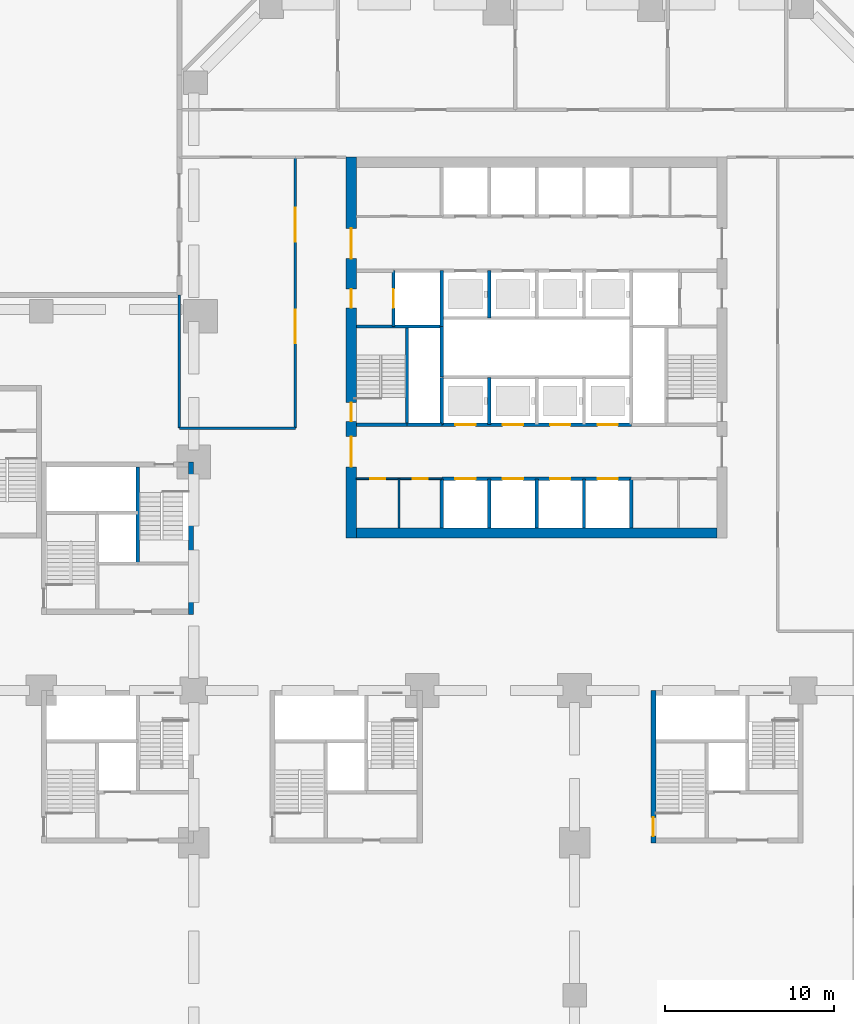
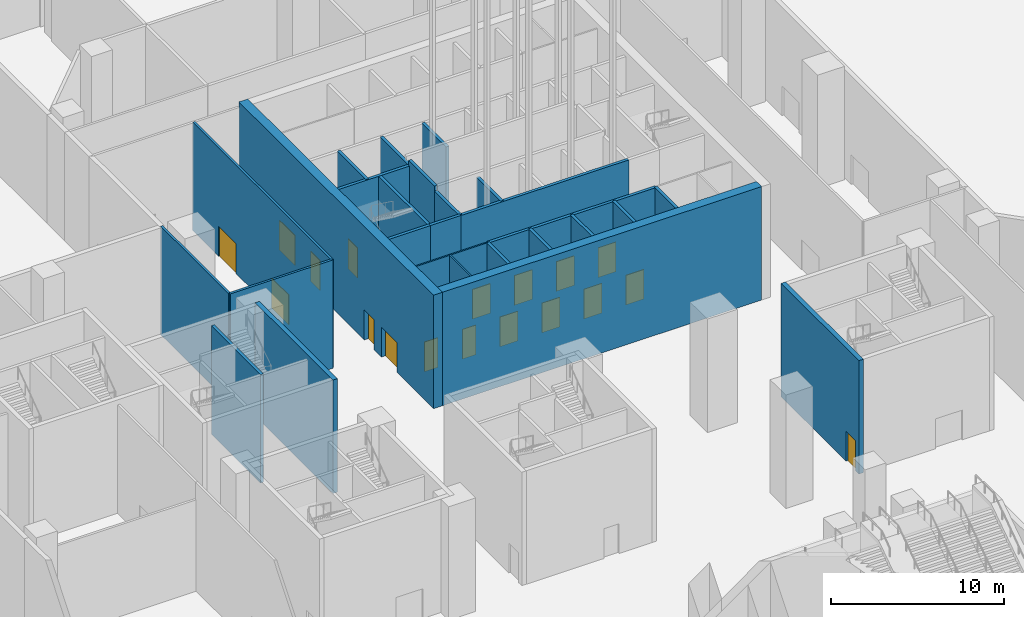
# One storey, part 11 of 32: 27 walls, 18 doors, 18 openings.
"""IFC4 building model written with IfcOpenShell, lengths in metres."""

from ifc_helpers import new_model, si_unit, direction, frame, frame_2d, origin, place, context, subcontext, project, spatial, rectangle, extrude, material, layer, layer_set, type_object, element, fill, save


model = new_model("IFC4")

# Units and contexts
model_context = context("Model", 3, precision=1e-05, world=origin(), true_north=direction((0.0, 1.0)))
body_context = subcontext(model_context, "Body", "Model", "MODEL_VIEW")
ifc_project = project(units=[si_unit("LENGTHUNIT", "METRE"), si_unit("AREAUNIT", "SQUARE_METRE"), si_unit("VOLUMEUNIT", "CUBIC_METRE"), si_unit("PLANEANGLEUNIT", "RADIAN"), si_unit("MASSUNIT", "GRAM", prefix="KILO")], contexts=[model_context])

# Site, building, storey
site_placement = place(None, origin())
site = spatial("IfcSite", under=ifc_project, at=site_placement, CompositionType="ELEMENT")
building_placement = place(site_placement, origin())
building = spatial("IfcBuilding", under=site, at=building_placement, Name="Quoin Convention Tower", CompositionType="ELEMENT")
storey_placement = place(building_placement, origin())
storey = spatial("IfcBuildingStorey", under=building, at=storey_placement, Name="L00", CompositionType="ELEMENT", Elevation=0.0)

# Wall, openings, doors
ifc_material_1 = material(Name="Plasterboard")
ifc_layer_1 = layer(ifc_material_1, 0.012451171875, Name="Finish")
ifc_material_2 = material(Name="Steel stud framing", Category="steel")
ifc_layer_2 = layer(ifc_material_2, 0.074951171875, Name="Structure")
ifc_layer_3 = layer(ifc_material_1, 0.012451171875, Name="Finish")
ifc_layer_set_1 = layer_set([ifc_layer_1, ifc_layer_2, ifc_layer_3], Name="Steel stud framing")
wall_type_1 = type_object("IfcWallType", Name="Core partition wall", PredefinedType="PARTITIONING", material=ifc_layer_set_1)
wall_1_placement = place(storey_placement, frame((45.60009765625, 53.0, 0.0), z_axis=(0.0, 0.0, 1.0), x_axis=(1.0, 0.0, 0.0)))
wall_1 = element("IfcWall", 1, at=wall_1_placement, inside=storey, type_object=wall_type_1, Name="cr-C1-L00-h3500_600", PredefinedType="PARTITIONING", context=body_context, shape_type="SweptSolid", body=[
    extrude(rectangle(XDim=5.0498046875, YDim=0.10009765625, at=frame_2d((2.52490234375, 0.0))), origin(), (0.0, 0.0, 1.0), 7.64990234375),
])
opening_1_placement = place(wall_1_placement, frame((0.8125, 0.0, 0.0)))
opening_1 = element("IfcOpeningElement", 2, at=opening_1_placement, cuts=wall_1, Name="Opening DCV0-51", PredefinedType="OPENING", context=body_context, shape_type="SweptSolid", body=[
    extrude(rectangle(XDim=0.89990234375, YDim=2.10009765625, at=frame_2d((0.449951171875, 1.050048828125))), frame((0.0, 0.06005859375, 0.0), z_axis=(0.0, -1.0, 0.0), x_axis=(1.0, 0.0, 0.0)), (0.0, 0.0, 1.0), 0.1201171875),
])
opening_2_placement = place(wall_1_placement, frame((3.33740234375, 0.0, 0.0)))
opening_2 = element("IfcOpeningElement", 3, at=opening_2_placement, cuts=wall_1, Name="Opening DCV0-52", PredefinedType="OPENING", context=body_context, shape_type="SweptSolid", body=[
    extrude(rectangle(XDim=0.89990234375, YDim=2.10009765625, at=frame_2d((0.449951171875, 1.050048828125))), frame((0.0, 0.06005859375, 0.0), z_axis=(0.0, -1.0, 0.0), x_axis=(1.0, 0.0, 0.0)), (0.0, 0.0, 1.0), 0.1201171875),
])
ifc_material_3 = material(Name="Steel door leaf", Category="steel")
door_type_1 = type_object("IfcDoorType", Name="Core room door 900 x 2100", OperationType="SINGLE_SWING_LEFT", PredefinedType="DOOR", material=ifc_material_3)
door_1_placement = place(opening_1_placement, frame((0.89990234375, 0.0, 0.0), z_axis=(0.0, 0.0, 1.0), x_axis=(-1.0, 0.0, 0.0)))
door_1 = element("IfcDoor", 4, at=door_1_placement, inside=storey, type_object=door_type_1, Name="cd-C1-L00-CSW0-lobA-CD0012", OperationType="SINGLE_SWING_LEFT", OverallHeight=2.10009765625, OverallWidth=0.89990234375, PredefinedType="DOOR", context=body_context, shape_type="SweptSolid", body=[
    extrude(rectangle(XDim=0.89990234375, YDim=2.10009765625, at=frame_2d((0.449951171875, 1.050048828125))), frame((0.0, 0.02490234375, 0.0), z_axis=(0.0, -1.0, 0.0), x_axis=(1.0, 0.0, 0.0)), (0.0, 0.0, 1.0), 0.050048828125),
])
fill(opening_1, door_1)
door_2_placement = place(opening_2_placement, frame((0.89990234375, 0.0, 0.0), z_axis=(0.0, 0.0, 1.0), x_axis=(-1.0, 0.0, 0.0)))
door_2 = element("IfcDoor", 5, at=door_2_placement, inside=storey, type_object=door_type_1, Name="cd-C1-L00-CSW1-lobA-CD0013", OperationType="SINGLE_SWING_LEFT", OverallHeight=2.10009765625, OverallWidth=0.89990234375, PredefinedType="DOOR", context=body_context, shape_type="SweptSolid", body=[
    extrude(rectangle(XDim=0.89990234375, YDim=2.10009765625, at=frame_2d((0.449951171875, 1.050048828125))), frame((0.0, 0.02490234375, 0.0), z_axis=(0.0, -1.0, 0.0), x_axis=(1.0, 0.0, 0.0)), (0.0, 0.0, 1.0), 0.050048828125),
])
fill(opening_2, door_2)

# Wall
wall_2_placement = place(storey_placement, frame((48.125, 50.10009765625, 0.0), z_axis=(0.0, 0.0, 1.0), x_axis=(0.0, 1.0, 0.0)))
element("IfcWall", 6, at=wall_2_placement, inside=storey, type_object=wall_type_1, Name="cr-C1-L00-v3125_600", PredefinedType="PARTITIONING", context=body_context, shape_type="SweptSolid", body=[
    extrude(rectangle(XDim=2.89990234375, YDim=0.10009765625, at=frame_2d((1.449951171875, 0.0))), origin(), (0.0, 0.0, 1.0), 7.64990234375),
])

# Wall, openings, doors
ifc_material_4 = material(Name="Concrete C50", Category="concrete")
ifc_layer_4 = layer(ifc_material_4, 0.199951171875)
ifc_layer_set_2 = layer_set([ifc_layer_4], Name="Concrete C50")
wall_type_2 = type_object("IfcWallType", Name="Core shaft wall", PredefinedType="SOLIDWALL", material=ifc_layer_set_2)
wall_3_placement = place(storey_placement, frame((50.64990234375, 53.0, 0.0), z_axis=(0.0, 0.0, 1.0), x_axis=(1.0, 0.0, 0.0)))
wall_3 = element("IfcWall", 7, at=wall_3_placement, inside=storey, type_object=wall_type_2, Name="cr-C1-L00-h3500_5650", PredefinedType="SOLIDWALL", context=body_context, shape_type="SweptSolid", body=[
    extrude(rectangle(XDim=11.2001953125, YDim=0.199951171875, at=frame_2d((5.60009765625, 0.0))), origin(), (0.0, 0.0, 1.0), 7.64990234375),
])
opening_3_placement = place(wall_3_placement, frame((0.800048828125, 0.0, 0.0)))
opening_3 = element("IfcOpeningElement", 8, at=opening_3_placement, cuts=wall_3, Name="Opening LDL1", PredefinedType="OPENING", context=body_context, shape_type="SweptSolid", body=[
    extrude(rectangle(XDim=1.199951171875, YDim=2.10009765625, at=frame_2d((0.60009765625, 1.050048828125))), frame((0.0, 0.10986328125, 0.0), z_axis=(0.0, -1.0, 0.0), x_axis=(1.0, 0.0, 0.0)), (0.0, 0.0, 1.0), 0.219970703125),
])
opening_4_placement = place(wall_3_placement, frame((3.60009765625, 0.0, 0.0)))
opening_4 = element("IfcOpeningElement", 9, at=opening_4_placement, cuts=wall_3, Name="Opening LDL2", PredefinedType="OPENING", context=body_context, shape_type="SweptSolid", body=[
    extrude(rectangle(XDim=1.199951171875, YDim=2.10009765625, at=frame_2d((0.60009765625, 1.050048828125))), frame((0.0, 0.10986328125, 0.0), z_axis=(0.0, -1.0, 0.0), x_axis=(1.0, 0.0, 0.0)), (0.0, 0.0, 1.0), 0.219970703125),
])
opening_5_placement = place(wall_3_placement, frame((6.39990234375, 0.0, 0.0)))
opening_5 = element("IfcOpeningElement", 10, at=opening_5_placement, cuts=wall_3, Name="Opening LDL3", PredefinedType="OPENING", context=body_context, shape_type="SweptSolid", body=[
    extrude(rectangle(XDim=1.199951171875, YDim=2.10009765625, at=frame_2d((0.60009765625, 1.050048828125))), frame((0.0, 0.10986328125, 0.0), z_axis=(0.0, -1.0, 0.0), x_axis=(1.0, 0.0, 0.0)), (0.0, 0.0, 1.0), 0.219970703125),
])
opening_6_placement = place(wall_3_placement, frame((9.199951171875, 0.0, 0.0)))
opening_6 = element("IfcOpeningElement", 11, at=opening_6_placement, cuts=wall_3, Name="Opening LDL4", PredefinedType="OPENING", context=body_context, shape_type="SweptSolid", body=[
    extrude(rectangle(XDim=1.199951171875, YDim=2.10009765625, at=frame_2d((0.60009765625, 1.050048828125))), frame((0.0, 0.10986328125, 0.0), z_axis=(0.0, -1.0, 0.0), x_axis=(1.0, 0.0, 0.0)), (0.0, 0.0, 1.0), 0.219970703125),
])
door_type_2 = type_object("IfcDoorType", Name="Lift landing door 1200 x 2100", OperationType="DOUBLE_DOOR_SLIDING", PredefinedType="DOOR", material=ifc_material_3)
door_3_placement = place(opening_3_placement, origin())
door_3 = element("IfcDoor", 12, at=door_3_placement, inside=storey, type_object=door_type_2, Name="cd-C1-L00-R10-lobA-LDL1", OperationType="DOUBLE_DOOR_SLIDING", OverallHeight=2.10009765625, OverallWidth=1.199951171875, PredefinedType="DOOR", context=body_context, shape_type="SweptSolid", body=[
    extrude(rectangle(XDim=1.199951171875, YDim=2.10009765625, at=frame_2d((0.60009765625, 1.050048828125))), frame((0.0, 0.02490234375, 0.0), z_axis=(0.0, -1.0, 0.0), x_axis=(1.0, 0.0, 0.0)), (0.0, 0.0, 1.0), 0.050048828125),
])
fill(opening_3, door_3)
door_4_placement = place(opening_4_placement, origin())
door_4 = element("IfcDoor", 13, at=door_4_placement, inside=storey, type_object=door_type_2, Name="cd-C1-L00-R11-lobA-LDL2", OperationType="DOUBLE_DOOR_SLIDING", OverallHeight=2.10009765625, OverallWidth=1.199951171875, PredefinedType="DOOR", context=body_context, shape_type="SweptSolid", body=[
    extrude(rectangle(XDim=1.199951171875, YDim=2.10009765625, at=frame_2d((0.60009765625, 1.050048828125))), frame((0.0, 0.02490234375, 0.0), z_axis=(0.0, -1.0, 0.0), x_axis=(1.0, 0.0, 0.0)), (0.0, 0.0, 1.0), 0.050048828125),
])
fill(opening_4, door_4)
door_5_placement = place(opening_5_placement, origin())
door_5 = element("IfcDoor", 14, at=door_5_placement, inside=storey, type_object=door_type_2, Name="cd-C1-L00-R12-lobA-LDL3", OperationType="DOUBLE_DOOR_SLIDING", OverallHeight=2.10009765625, OverallWidth=1.199951171875, PredefinedType="DOOR", context=body_context, shape_type="SweptSolid", body=[
    extrude(rectangle(XDim=1.199951171875, YDim=2.10009765625, at=frame_2d((0.60009765625, 1.050048828125))), frame((0.0, 0.02490234375, 0.0), z_axis=(0.0, -1.0, 0.0), x_axis=(1.0, 0.0, 0.0)), (0.0, 0.0, 1.0), 0.050048828125),
])
fill(opening_5, door_5)
door_6_placement = place(opening_6_placement, origin())
door_6 = element("IfcDoor", 15, at=door_6_placement, inside=storey, type_object=door_type_2, Name="cd-C1-L00-R13-lobA-LDL4", OperationType="DOUBLE_DOOR_SLIDING", OverallHeight=2.10009765625, OverallWidth=1.199951171875, PredefinedType="DOOR", context=body_context, shape_type="SweptSolid", body=[
    extrude(rectangle(XDim=1.199951171875, YDim=2.10009765625, at=frame_2d((0.60009765625, 1.050048828125))), frame((0.0, 0.02490234375, 0.0), z_axis=(0.0, -1.0, 0.0), x_axis=(1.0, 0.0, 0.0)), (0.0, 0.0, 1.0), 0.050048828125),
])
fill(opening_6, door_6)

# Walls
wall_4_placement = place(storey_placement, frame((48.60009765625, 56.199951171875, 0.0), z_axis=(0.0, 0.0, 1.0), x_axis=(1.0, 0.0, 0.0)))
element("IfcWall", 16, at=wall_4_placement, inside=storey, type_object=wall_type_2, Name="cr-C1-L00-h6700_3600", PredefinedType="SOLIDWALL", context=body_context, shape_type="SweptSolid", body=[
    extrude(rectangle(XDim=2.0498046875, YDim=0.199951171875, at=frame_2d((1.02490234375, 0.0))), origin(), (0.0, 0.0, 1.0), 7.64990234375),
])
wall_5_placement = place(storey_placement, frame((45.60009765625, 56.199951171875, 0.0), z_axis=(0.0, 0.0, 1.0), x_axis=(1.0, 0.0, 0.0)))
element("IfcWall", 17, at=wall_5_placement, inside=storey, type_object=wall_type_2, Name="cr-C1-L00-h6700_600", PredefinedType="SOLIDWALL", context=body_context, shape_type="SweptSolid", body=[
    extrude(rectangle(XDim=3.0, YDim=0.199951171875, at=frame_2d((1.5, 0.0))), origin(), (0.0, 0.0, 1.0), 7.64990234375),
])

# Wall, openings, doors
wall_6_placement = place(storey_placement, frame((50.64990234375, 56.199951171875, 0.0), z_axis=(0.0, 0.0, 1.0), x_axis=(1.0, 0.0, 0.0)))
wall_6 = element("IfcWall", 18, at=wall_6_placement, inside=storey, type_object=wall_type_2, Name="cr-C1-L00-h6700_5650", PredefinedType="SOLIDWALL", context=body_context, shape_type="SweptSolid", body=[
    extrude(rectangle(XDim=11.2001953125, YDim=0.199951171875, at=frame_2d((5.60009765625, 0.0))), origin(), (0.0, 0.0, 1.0), 7.64990234375),
])
opening_7_placement = place(wall_6_placement, frame((0.800048828125, 0.0, 0.0)))
opening_7 = element("IfcOpeningElement", 19, at=opening_7_placement, cuts=wall_6, Name="Opening LDH1", PredefinedType="OPENING", context=body_context, shape_type="SweptSolid", body=[
    extrude(rectangle(XDim=1.199951171875, YDim=2.10009765625, at=frame_2d((0.60009765625, 1.050048828125))), frame((0.0, 0.10986328125, 0.0), z_axis=(0.0, -1.0, 0.0), x_axis=(1.0, 0.0, 0.0)), (0.0, 0.0, 1.0), 0.219970703125),
])
opening_8_placement = place(wall_6_placement, frame((3.60009765625, 0.0, 0.0)))
opening_8 = element("IfcOpeningElement", 20, at=opening_8_placement, cuts=wall_6, Name="Opening LDH2", PredefinedType="OPENING", context=body_context, shape_type="SweptSolid", body=[
    extrude(rectangle(XDim=1.199951171875, YDim=2.10009765625, at=frame_2d((0.60009765625, 1.050048828125))), frame((0.0, 0.10986328125, 0.0), z_axis=(0.0, -1.0, 0.0), x_axis=(1.0, 0.0, 0.0)), (0.0, 0.0, 1.0), 0.219970703125),
])
opening_9_placement = place(wall_6_placement, frame((6.39990234375, 0.0, 0.0)))
opening_9 = element("IfcOpeningElement", 21, at=opening_9_placement, cuts=wall_6, Name="Opening LDH3", PredefinedType="OPENING", context=body_context, shape_type="SweptSolid", body=[
    extrude(rectangle(XDim=1.199951171875, YDim=2.10009765625, at=frame_2d((0.60009765625, 1.050048828125))), frame((0.0, 0.10986328125, 0.0), z_axis=(0.0, -1.0, 0.0), x_axis=(1.0, 0.0, 0.0)), (0.0, 0.0, 1.0), 0.219970703125),
])
opening_10_placement = place(wall_6_placement, frame((9.199951171875, 0.0, 0.0)))
opening_10 = element("IfcOpeningElement", 22, at=opening_10_placement, cuts=wall_6, Name="Opening LDH4", PredefinedType="OPENING", context=body_context, shape_type="SweptSolid", body=[
    extrude(rectangle(XDim=1.199951171875, YDim=2.10009765625, at=frame_2d((0.60009765625, 1.050048828125))), frame((0.0, 0.10986328125, 0.0), z_axis=(0.0, -1.0, 0.0), x_axis=(1.0, 0.0, 0.0)), (0.0, 0.0, 1.0), 0.219970703125),
])
door_7_placement = place(opening_7_placement, origin())
door_7 = element("IfcDoor", 23, at=door_7_placement, inside=storey, type_object=door_type_2, Name="cd-C1-L00-R20-lobA-LDH1", OperationType="DOUBLE_DOOR_SLIDING", OverallHeight=2.10009765625, OverallWidth=1.199951171875, PredefinedType="DOOR", context=body_context, shape_type="SweptSolid", body=[
    extrude(rectangle(XDim=1.199951171875, YDim=2.10009765625, at=frame_2d((0.60009765625, 1.050048828125))), frame((0.0, 0.02490234375, 0.0), z_axis=(0.0, -1.0, 0.0), x_axis=(1.0, 0.0, 0.0)), (0.0, 0.0, 1.0), 0.050048828125),
])
fill(opening_7, door_7)
door_8_placement = place(opening_8_placement, origin())
door_8 = element("IfcDoor", 24, at=door_8_placement, inside=storey, type_object=door_type_2, Name="cd-C1-L00-R21-lobA-LDH2", OperationType="DOUBLE_DOOR_SLIDING", OverallHeight=2.10009765625, OverallWidth=1.199951171875, PredefinedType="DOOR", context=body_context, shape_type="SweptSolid", body=[
    extrude(rectangle(XDim=1.199951171875, YDim=2.10009765625, at=frame_2d((0.60009765625, 1.050048828125))), frame((0.0, 0.02490234375, 0.0), z_axis=(0.0, -1.0, 0.0), x_axis=(1.0, 0.0, 0.0)), (0.0, 0.0, 1.0), 0.050048828125),
])
fill(opening_8, door_8)
door_9_placement = place(opening_9_placement, origin())
door_9 = element("IfcDoor", 25, at=door_9_placement, inside=storey, type_object=door_type_2, Name="cd-C1-L00-R22-lobA-LDH3", OperationType="DOUBLE_DOOR_SLIDING", OverallHeight=2.10009765625, OverallWidth=1.199951171875, PredefinedType="DOOR", context=body_context, shape_type="SweptSolid", body=[
    extrude(rectangle(XDim=1.199951171875, YDim=2.10009765625, at=frame_2d((0.60009765625, 1.050048828125))), frame((0.0, 0.02490234375, 0.0), z_axis=(0.0, -1.0, 0.0), x_axis=(1.0, 0.0, 0.0)), (0.0, 0.0, 1.0), 0.050048828125),
])
fill(opening_9, door_9)
door_10_placement = place(opening_10_placement, origin())
door_10 = element("IfcDoor", 26, at=door_10_placement, inside=storey, type_object=door_type_2, Name="cd-C1-L00-R23-lobA-LDH4", OperationType="DOUBLE_DOOR_SLIDING", OverallHeight=2.10009765625, OverallWidth=1.199951171875, PredefinedType="DOOR", context=body_context, shape_type="SweptSolid", body=[
    extrude(rectangle(XDim=1.199951171875, YDim=2.10009765625, at=frame_2d((0.60009765625, 1.050048828125))), frame((0.0, 0.02490234375, 0.0), z_axis=(0.0, -1.0, 0.0), x_axis=(1.0, 0.0, 0.0)), (0.0, 0.0, 1.0), 0.050048828125),
])
fill(opening_10, door_10)

# Wall
wall_7_placement = place(storey_placement, frame((45.60009765625, 62.0, 0.0), z_axis=(0.0, 0.0, 1.0), x_axis=(1.0, 0.0, 0.0)))
element("IfcWall", 27, at=wall_7_placement, inside=storey, type_object=wall_type_2, Name="cr-C1-L00-h12500_600", PredefinedType="SOLIDWALL", context=body_context, shape_type="SweptSolid", body=[
    extrude(rectangle(XDim=5.0498046875, YDim=0.199951171875, at=frame_2d((2.52490234375, 0.0))), origin(), (0.0, 0.0, 1.0), 7.64990234375),
])

# Wall, opening, door
wall_8_placement = place(storey_placement, frame((47.800048828125, 62.0, 0.0), z_axis=(0.0, 0.0, 1.0), x_axis=(0.0, 1.0, 0.0)))
wall_8 = element("IfcWall", 28, at=wall_8_placement, inside=storey, type_object=wall_type_2, Name="cr-C1-L00-v2800_12500", PredefinedType="SOLIDWALL", context=body_context, shape_type="SweptSolid", body=[
    extrude(rectangle(XDim=3.300048828125, YDim=0.199951171875, at=frame_2d((1.64990234375, 0.0))), origin(), (0.0, 0.0, 1.0), 7.64990234375),
])
opening_11_placement = place(wall_8_placement, frame((1.10009765625, 0.0, 0.0)))
opening_11 = element("IfcOpeningElement", 29, at=opening_11_placement, cuts=wall_8, Name="Opening LDFL1", PredefinedType="OPENING", context=body_context, shape_type="SweptSolid", body=[
    extrude(rectangle(XDim=1.10009765625, YDim=2.10009765625, at=frame_2d((0.550048828125, 1.050048828125))), frame((0.0, 0.10986328125, 0.0), z_axis=(0.0, -1.0, 0.0), x_axis=(1.0, 0.0, 0.0)), (0.0, 0.0, 1.0), 0.219970703125),
])
door_type_3 = type_object("IfcDoorType", Name="Lift landing door 1100 x 2100", OperationType="DOUBLE_DOOR_SLIDING", PredefinedType="DOOR", material=ifc_material_3)
door_11_placement = place(opening_11_placement, origin())
door_11 = element("IfcDoor", 30, at=door_11_placement, inside=storey, type_object=door_type_3, Name="cd-C1-L00-FLW-FFW-LDFL1", OperationType="DOUBLE_DOOR_SLIDING", OverallHeight=2.10009765625, OverallWidth=1.10009765625, PredefinedType="DOOR", context=body_context, shape_type="SweptSolid", body=[
    extrude(rectangle(XDim=1.10009765625, YDim=2.10009765625, at=frame_2d((0.550048828125, 1.050048828125))), frame((0.0, 0.02490234375, 0.0), z_axis=(0.0, -1.0, 0.0), x_axis=(1.0, 0.0, 0.0)), (0.0, 0.0, 1.0), 0.050048828125),
])
fill(opening_11, door_11)

# Walls
wall_9_placement = place(storey_placement, frame((48.60009765625, 56.199951171875, 0.0), z_axis=(0.0, 0.0, 1.0), x_axis=(0.0, 1.0, 0.0)))
element("IfcWall", 31, at=wall_9_placement, inside=storey, type_object=wall_type_2, Name="cr-C1-L00-v3600_6700", PredefinedType="SOLIDWALL", context=body_context, shape_type="SweptSolid", body=[
    extrude(rectangle(XDim=5.800048828125, YDim=0.199951171875, at=frame_2d((2.89990234375, 0.0))), origin(), (0.0, 0.0, 1.0), 7.64990234375),
])
wall_10_placement = place(storey_placement, frame((50.64990234375, 50.10009765625, 0.0), z_axis=(0.0, 0.0, 1.0), x_axis=(0.0, 1.0, 0.0)))
element("IfcWall", 32, at=wall_10_placement, inside=storey, type_object=wall_type_2, Name="cr-C1-L00-v5650_600", PredefinedType="SOLIDWALL", context=body_context, shape_type="SweptSolid", body=[
    extrude(rectangle(XDim=2.89990234375, YDim=0.199951171875, at=frame_2d((1.449951171875, 0.0))), origin(), (0.0, 0.0, 1.0), 7.64990234375),
])
wall_11_placement = place(storey_placement, frame((50.64990234375, 56.199951171875, 0.0), z_axis=(0.0, 0.0, 1.0), x_axis=(0.0, 1.0, 0.0)))
element("IfcWall", 33, at=wall_11_placement, inside=storey, type_object=wall_type_2, Name="cr-C1-L00-v5650_6700", PredefinedType="SOLIDWALL", context=body_context, shape_type="SweptSolid", body=[
    extrude(rectangle(XDim=2.800048828125, YDim=0.199951171875, at=frame_2d((1.39990234375, 0.0))), origin(), (0.0, 0.0, 1.0), 7.64990234375),
])
wall_12_placement = place(storey_placement, frame((50.64990234375, 62.0, 0.0), z_axis=(0.0, 0.0, 1.0), x_axis=(0.0, 1.0, 0.0)))
element("IfcWall", 34, at=wall_12_placement, inside=storey, type_object=wall_type_2, Name="cr-C1-L00-v5650_12500", PredefinedType="SOLIDWALL", context=body_context, shape_type="SweptSolid", body=[
    extrude(rectangle(XDim=3.300048828125, YDim=0.199951171875, at=frame_2d((1.64990234375, 0.0))), origin(), (0.0, 0.0, 1.0), 7.64990234375),
])
wall_13_placement = place(storey_placement, frame((53.449951171875, 50.10009765625, 0.0), z_axis=(0.0, 0.0, 1.0), x_axis=(0.0, 1.0, 0.0)))
element("IfcWall", 35, at=wall_13_placement, inside=storey, type_object=wall_type_2, Name="cr-C1-L00-v8450_600", PredefinedType="SOLIDWALL", context=body_context, shape_type="SweptSolid", body=[
    extrude(rectangle(XDim=2.89990234375, YDim=0.199951171875, at=frame_2d((1.449951171875, 0.0))), origin(), (0.0, 0.0, 1.0), 7.64990234375),
])
for number, where, z_axis, x_axis, name in (
    (36, (53.449951171875, 56.199951171875, 0.0), (0.0, 0.0, 1.0), (0.0, 1.0, 0.0), "cr-C1-L00-v8450_6700"),
    (37, (53.449951171875, 62.5, 0.0), (0.0, 0.0, 1.0), (0.0, 1.0, 0.0), "cr-C1-L00-v8450_13000"),
):
    element("IfcWall", number, at=place(storey_placement, frame(where, z_axis=z_axis, x_axis=x_axis)), inside=storey, type_object=wall_type_2, Name=name, PredefinedType="SOLIDWALL", context=body_context, shape_type="SweptSolid", body=[
        extrude(rectangle(XDim=2.800048828125, YDim=0.199951171875, at=frame_2d((1.39990234375, 0.0))), origin(), (0.0, 0.0, 1.0), 7.64990234375),
    ])
for number, where, z_axis, x_axis, name in (
    (38, (56.25, 50.10009765625, 0.0), (0.0, 0.0, 1.0), (0.0, 1.0, 0.0), "cr-C1-L00-v11250_600"),
    (39, (59.050048828125, 50.10009765625, 0.0), (0.0, 0.0, 1.0), (0.0, 1.0, 0.0), "cr-C1-L00-v14050_600"),
    (40, (61.85009765625, 50.10009765625, 0.0), (0.0, 0.0, 1.0), (0.0, 1.0, 0.0), "cr-C1-L00-v16850_600"),
):
    element("IfcWall", number, at=place(storey_placement, frame(where, z_axis=z_axis, x_axis=x_axis)), inside=storey, type_object=wall_type_2, Name=name, PredefinedType="SOLIDWALL", context=body_context, shape_type="SweptSolid", body=[
        extrude(rectangle(XDim=2.89990234375, YDim=0.199951171875, at=frame_2d((1.449951171875, 0.0))), origin(), (0.0, 0.0, 1.0), 7.64990234375),
    ])
wall_14_placement = place(storey_placement, frame((32.699951171875, 48.0, 0.0), z_axis=(0.0, 0.0, 1.0), x_axis=(0.0, 1.0, 0.0)))
element("IfcWall", 41, at=wall_14_placement, inside=storey, type_object=wall_type_2, Name="cr-P2-L00-v5700_3000", PredefinedType="SOLIDWALL", context=body_context, shape_type="SweptSolid", body=[
    extrude(rectangle(XDim=5.699951171875, YDim=0.199951171875, at=frame_2d((2.85009765625, 0.0))), origin(), (0.0, 0.0, 1.0), 7.64990234375),
])
ifc_layer_5 = layer(ifc_material_4, 0.199951171875)
ifc_layer_set_3 = layer_set([ifc_layer_5], Name="Concrete C50")
wall_type_3 = type_object("IfcWallType", Name="Core shaft wall to the floor level over", PredefinedType="SOLIDWALL", material=ifc_layer_set_3)
wall_15_placement = place(storey_placement, frame((50.64990234375, 59.0, 0.0), z_axis=(0.0, 0.0, 1.0), x_axis=(0.0, 1.0, 0.0)))
element("IfcWall", 42, at=wall_15_placement, inside=storey, type_object=wall_type_3, Name="cr-C1-L00-v5650_9500", PredefinedType="SOLIDWALL", context=body_context, shape_type="SweptSolid", body=[
    extrude(rectangle(XDim=3.0, YDim=0.199951171875, at=frame_2d((1.5, 0.0))), origin(), (0.0, 0.0, 1.0), 8.0),
])
ifc_layer_6 = layer(ifc_material_1, 0.012451171875, Name="Finish")
ifc_layer_7 = layer(ifc_material_2, 0.125, Name="Structure")
ifc_layer_8 = layer(ifc_material_1, 0.012451171875, Name="Finish")
ifc_layer_set_4 = layer_set([ifc_layer_6, ifc_layer_7, ifc_layer_8], Name="Steel stud framing")
wall_type_4 = type_object("IfcWallType", Name="Partition wall 150", PredefinedType="PARTITIONING", material=ifc_layer_set_4)
wall_16_placement = place(storey_placement, frame((35.14990234375, 56.0, 0.0), z_axis=(0.0, 0.0, 1.0), x_axis=(1.0, 0.0, 0.0)))
element("IfcWall", 43, at=wall_16_placement, inside=storey, type_object=wall_type_4, Name="pw-L00-066", PredefinedType="PARTITIONING", context=body_context, shape_type="SweptSolid", body=[
    extrude(rectangle(XDim=6.85009765625, YDim=0.14990234375, at=frame_2d((3.425048828125, 0.0))), origin(), (0.0, 0.0, 1.0), 7.64990234375),
])
wall_17_placement = place(storey_placement, frame((35.14990234375, 56.0, 0.0), z_axis=(0.0, 0.0, 1.0), x_axis=(0.0, 1.0, 0.0)))
element("IfcWall", 44, at=wall_17_placement, inside=storey, type_object=wall_type_4, Name="pw-L00-067", PredefinedType="PARTITIONING", context=body_context, shape_type="SweptSolid", body=[
    extrude(rectangle(XDim=7.85009765625, YDim=0.14990234375, at=frame_2d((3.925048828125, 0.0))), origin(), (0.0, 0.0, 1.0), 7.64990234375),
])

# Wall, openings, doors
wall_18_placement = place(storey_placement, frame((42.0, 56.0, 0.0), z_axis=(0.0, 0.0, 1.0), x_axis=(0.0, 1.0, 0.0)))
wall_18 = element("IfcWall", 45, at=wall_18_placement, inside=storey, type_object=wall_type_4, Name="pw-L00-068", PredefinedType="PARTITIONING", context=body_context, shape_type="SweptSolid", body=[
    extrude(rectangle(XDim=16.0, YDim=0.14990234375, at=frame_2d((8.0, 0.0))), origin(), (0.0, 0.0, 1.0), 7.64990234375),
])
opening_12_placement = place(wall_18_placement, frame((5.0, 0.0, 0.0)))
opening_12 = element("IfcOpeningElement", 46, at=opening_12_placement, cuts=wall_18, Name="Opening DPD0-27", PredefinedType="OPENING", context=body_context, shape_type="SweptSolid", body=[
    extrude(rectangle(XDim=2.0, YDim=2.10009765625, at=frame_2d((1.0, 1.050048828125))), frame((0.0, 0.0849609375, 0.0), z_axis=(0.0, -1.0, 0.0), x_axis=(1.0, 0.0, 0.0)), (0.0, 0.0, 1.0), 0.169921875),
])
opening_13_placement = place(wall_18_placement, frame((11.0, 0.0, 0.0)))
opening_13 = element("IfcOpeningElement", 47, at=opening_13_placement, cuts=wall_18, Name="Opening DPD0-28", PredefinedType="OPENING", context=body_context, shape_type="SweptSolid", body=[
    extrude(rectangle(XDim=2.0, YDim=2.10009765625, at=frame_2d((1.0, 1.050048828125))), frame((0.0, 0.0849609375, 0.0), z_axis=(0.0, -1.0, 0.0), x_axis=(1.0, 0.0, 0.0)), (0.0, 0.0, 1.0), 0.169921875),
])
door_type_4 = type_object("IfcDoorType", Name="Double leaf door 2000", OperationType="DOUBLE_DOOR_SINGLE_SWING", PredefinedType="DOOR", material=ifc_material_3)
door_12_placement = place(opening_12_placement, origin())
door_12 = element("IfcDoor", 48, at=door_12_placement, inside=storey, type_object=door_type_4, Name="dr-L00-003", OperationType="DOUBLE_DOOR_SINGLE_SWING", OverallHeight=2.10009765625, OverallWidth=2.0, PredefinedType="DOOR", context=body_context, shape_type="SweptSolid", body=[
    extrude(rectangle(XDim=2.0, YDim=2.10009765625, at=frame_2d((1.0, 1.050048828125))), frame((0.0, 0.02490234375, 0.0), z_axis=(0.0, -1.0, 0.0), x_axis=(1.0, 0.0, 0.0)), (0.0, 0.0, 1.0), 0.050048828125),
])
fill(opening_12, door_12)
door_13_placement = place(opening_13_placement, origin())
door_13 = element("IfcDoor", 49, at=door_13_placement, inside=storey, type_object=door_type_4, Name="dr-L00-004", OperationType="DOUBLE_DOOR_SINGLE_SWING", OverallHeight=2.10009765625, OverallWidth=2.0, PredefinedType="DOOR", context=body_context, shape_type="SweptSolid", body=[
    extrude(rectangle(XDim=2.0, YDim=2.10009765625, at=frame_2d((1.0, 1.050048828125))), frame((0.0, 0.02490234375, 0.0), z_axis=(0.0, -1.0, 0.0), x_axis=(1.0, 0.0, 0.0)), (0.0, 0.0, 1.0), 0.050048828125),
])
fill(opening_13, door_13)

# Wall
ifc_material_5 = material(Name="Concrete C100 (100 MPa)", Category="concrete")
ifc_layer_9 = layer(ifc_material_5, 0.300048828125)
ifc_layer_set_5 = layer_set([ifc_layer_9], Name="Concrete C100 (100 MPa)")
wall_type_5 = type_object("IfcWallType", Name="RC CORE WALL 300 C100", PredefinedType="SHEAR", material=ifc_layer_set_5)
wall_19_placement = place(storey_placement, frame((35.85009765625, 45.0, 0.0), z_axis=(0.0, 0.0, 1.0), x_axis=(0.0, 1.0, 0.0)))
element("IfcWall", 50, at=wall_19_placement, inside=storey, type_object=wall_type_5, Name="cwl-P2-L00-E", PredefinedType="SHEAR", context=body_context, shape_type="SweptSolid", body=[
    extrude(rectangle(XDim=9.0, YDim=0.300048828125, at=frame_2d((4.5, 0.0))), origin(), (0.0, 0.0, 1.0), 8.0),
])

# Wall, opening, door
wall_20_placement = place(storey_placement, frame((63.14990234375, 31.5, 0.0), z_axis=(0.0, 0.0, 1.0), x_axis=(0.0, 1.0, 0.0)))
wall_20 = element("IfcWall", 51, at=wall_20_placement, inside=storey, type_object=wall_type_5, Name="cwl-P5-L00-W", PredefinedType="SHEAR", context=body_context, shape_type="SweptSolid", body=[
    extrude(rectangle(XDim=9.0, YDim=0.300048828125, at=frame_2d((4.5, 0.0))), origin(), (0.0, 0.0, 1.0), 8.0),
])
opening_14_placement = place(wall_20_placement, frame((0.39990234375, 0.0, 0.0)))
opening_14 = element("IfcOpeningElement", 52, at=opening_14_placement, cuts=wall_20, Name="Opening SD9", PredefinedType="OPENING", context=body_context, shape_type="SweptSolid", body=[
    extrude(rectangle(XDim=1.10009765625, YDim=2.10009765625, at=frame_2d((0.550048828125, 1.050048828125))), frame((0.0, 0.159912109375, 0.0), z_axis=(0.0, -1.0, 0.0), x_axis=(1.0, 0.0, 0.0)), (0.0, 0.0, 1.0), 0.320068359375),
])
door_type_5 = type_object("IfcDoorType", Name="Stair door 1100 x 2100", OperationType="SINGLE_SWING_RIGHT", PredefinedType="DOOR", material=ifc_material_3)
door_14_placement = place(opening_14_placement, frame((1.10009765625, 0.0, 0.0), z_axis=(0.0, 0.0, 1.0), x_axis=(-1.0, 0.0, 0.0)))
door_14 = element("IfcDoor", 53, at=door_14_placement, inside=storey, type_object=door_type_5, Name="cd-P5-L00-SA-W", OperationType="SINGLE_SWING_RIGHT", OverallHeight=2.10009765625, OverallWidth=1.10009765625, PredefinedType="DOOR", context=body_context, shape_type="SweptSolid", body=[
    extrude(rectangle(XDim=1.10009765625, YDim=2.10009765625, at=frame_2d((0.550048828125, 1.050048828125))), frame((0.0, 0.02490234375, 0.0), z_axis=(0.0, -1.0, 0.0), x_axis=(1.0, 0.0, 0.0)), (0.0, 0.0, 1.0), 0.050048828125),
])
fill(opening_14, door_14)

# Wall
ifc_layer_10 = layer(ifc_material_5, 0.60009765625)
ifc_layer_set_6 = layer_set([ifc_layer_10], Name="Concrete C100 (100 MPa)")
wall_type_6 = type_object("IfcWallType", Name="RC CORE WALL 600 C100", PredefinedType="SHEAR", material=ifc_layer_set_6)
wall_21_placement = place(storey_placement, frame((45.60009765625, 49.800048828125, 0.0), z_axis=(0.0, 0.0, 1.0), x_axis=(1.0, 0.0, 0.0)))
element("IfcWall", 54, at=wall_21_placement, inside=storey, type_object=wall_type_6, Name="cwl-C1-L00-S", PredefinedType="SHEAR", context=body_context, shape_type="SweptSolid", body=[
    extrude(rectangle(XDim=21.2998046875, YDim=0.60009765625, at=frame_2d((10.64990234375, 0.0))), origin(), (0.0, 0.0, 1.0), 8.0),
])

# Wall, openings, doors
wall_22_placement = place(storey_placement, frame((45.300048828125, 49.5, 0.0), z_axis=(0.0, 0.0, 1.0), x_axis=(0.0, 1.0, 0.0)))
wall_22 = element("IfcWall", 55, at=wall_22_placement, inside=storey, type_object=wall_type_6, Name="cwl-C1-L00-W", PredefinedType="SHEAR", context=body_context, shape_type="SweptSolid", body=[
    extrude(rectangle(XDim=22.5, YDim=0.60009765625, at=frame_2d((11.25, 0.0))), origin(), (0.0, 0.0, 1.0), 8.0),
])
opening_15_placement = place(wall_22_placement, frame((4.199951171875, 0.0, 0.0)))
opening_15 = element("IfcOpeningElement", 56, at=opening_15_placement, cuts=wall_22, Name="Opening DCV0-59", PredefinedType="OPENING", context=body_context, shape_type="SweptSolid", body=[
    extrude(rectangle(XDim=1.800048828125, YDim=2.10009765625, at=frame_2d((0.89990234375, 1.050048828125))), frame((0.0, 0.31005859375, 0.0), z_axis=(0.0, -1.0, 0.0), x_axis=(1.0, 0.0, 0.0)), (0.0, 0.0, 1.0), 0.6201171875),
])
opening_16_placement = place(wall_22_placement, frame((6.89990234375, 0.0, 0.0)))
opening_16 = element("IfcOpeningElement", 57, at=opening_16_placement, cuts=wall_22, Name="Opening SD1", PredefinedType="OPENING", context=body_context, shape_type="SweptSolid", body=[
    extrude(rectangle(XDim=1.10009765625, YDim=2.10009765625, at=frame_2d((0.550048828125, 1.050048828125))), frame((0.0, 0.31005859375, 0.0), z_axis=(0.0, -1.0, 0.0), x_axis=(1.0, 0.0, 0.0)), (0.0, 0.0, 1.0), 0.6201171875),
])
opening_17_placement = place(wall_22_placement, frame((13.60009765625, 0.0, 0.0)))
opening_17 = element("IfcOpeningElement", 58, at=opening_17_placement, cuts=wall_22, Name="Opening DCV0-58", PredefinedType="OPENING", context=body_context, shape_type="SweptSolid", body=[
    extrude(rectangle(XDim=1.10009765625, YDim=2.10009765625, at=frame_2d((0.550048828125, 1.050048828125))), frame((0.0, 0.31005859375, 0.0), z_axis=(0.0, -1.0, 0.0), x_axis=(1.0, 0.0, 0.0)), (0.0, 0.0, 1.0), 0.6201171875),
])
opening_18_placement = place(wall_22_placement, frame((16.5, 0.0, 0.0)))
opening_18 = element("IfcOpeningElement", 59, at=opening_18_placement, cuts=wall_22, Name="Opening DCV0-59", PredefinedType="OPENING", context=body_context, shape_type="SweptSolid", body=[
    extrude(rectangle(XDim=1.800048828125, YDim=2.10009765625, at=frame_2d((0.89990234375, 1.050048828125))), frame((0.0, 0.31005859375, 0.0), z_axis=(0.0, -1.0, 0.0), x_axis=(1.0, 0.0, 0.0)), (0.0, 0.0, 1.0), 0.6201171875),
])
door_type_6 = type_object("IfcDoorType", Name="Fire-fighting lobby door 1100 x 2100", OperationType="SINGLE_SWING_LEFT", PredefinedType="DOOR", material=ifc_material_3)
door_15_placement = place(opening_17_placement, frame((1.10009765625, 0.0, 0.0), z_axis=(0.0, 0.0, 1.0), x_axis=(-1.0, 0.0, 0.0)))
door_15 = element("IfcDoor", 60, at=door_15_placement, inside=storey, type_object=door_type_6, Name="cd-C1-L00-FFW-W", OperationType="SINGLE_SWING_LEFT", OverallHeight=2.10009765625, OverallWidth=1.10009765625, PredefinedType="DOOR", context=body_context, shape_type="SweptSolid", body=[
    extrude(rectangle(XDim=1.10009765625, YDim=2.10009765625, at=frame_2d((0.550048828125, 1.050048828125))), frame((0.0, 0.02490234375, 0.0), z_axis=(0.0, -1.0, 0.0), x_axis=(1.0, 0.0, 0.0)), (0.0, 0.0, 1.0), 0.050048828125),
])
fill(opening_17, door_15)
door_type_7 = type_object("IfcDoorType", Name="Lift lobby door 1800 x 2100", OperationType="SINGLE_SWING_LEFT", PredefinedType="DOOR", material=ifc_material_3)
door_16_placement = place(opening_15_placement, frame((1.800048828125, 0.0, 0.0), z_axis=(0.0, 0.0, 1.0), x_axis=(-1.0, 0.0, 0.0)))
door_16 = element("IfcDoor", 61, at=door_16_placement, inside=storey, type_object=door_type_7, Name="cd-C1-L00-lobA-W", OperationType="SINGLE_SWING_LEFT", OverallHeight=2.10009765625, OverallWidth=1.800048828125, PredefinedType="DOOR", context=body_context, shape_type="SweptSolid", body=[
    extrude(rectangle(XDim=1.800048828125, YDim=2.10009765625, at=frame_2d((0.89990234375, 1.050048828125))), frame((0.0, 0.02490234375, 0.0), z_axis=(0.0, -1.0, 0.0), x_axis=(1.0, 0.0, 0.0)), (0.0, 0.0, 1.0), 0.050048828125),
])
fill(opening_15, door_16)
door_17_placement = place(opening_18_placement, frame((1.800048828125, 0.0, 0.0), z_axis=(0.0, 0.0, 1.0), x_axis=(-1.0, 0.0, 0.0)))
door_17 = element("IfcDoor", 62, at=door_17_placement, inside=storey, type_object=door_type_7, Name="cd-C1-L00-lobB-W", OperationType="SINGLE_SWING_LEFT", OverallHeight=2.10009765625, OverallWidth=1.800048828125, PredefinedType="DOOR", context=body_context, shape_type="SweptSolid", body=[
    extrude(rectangle(XDim=1.800048828125, YDim=2.10009765625, at=frame_2d((0.89990234375, 1.050048828125))), frame((0.0, 0.02490234375, 0.0), z_axis=(0.0, -1.0, 0.0), x_axis=(1.0, 0.0, 0.0)), (0.0, 0.0, 1.0), 0.050048828125),
])
fill(opening_18, door_17)
door_18_placement = place(opening_16_placement, frame((1.10009765625, 0.0, 0.0), z_axis=(0.0, 0.0, 1.0), x_axis=(-1.0, 0.0, 0.0)))
door_18 = element("IfcDoor", 63, at=door_18_placement, inside=storey, type_object=door_type_5, Name="cd-C1-L00-STW-W", OperationType="SINGLE_SWING_RIGHT", OverallHeight=2.10009765625, OverallWidth=1.10009765625, PredefinedType="DOOR", context=body_context, shape_type="SweptSolid", body=[
    extrude(rectangle(XDim=1.10009765625, YDim=2.10009765625, at=frame_2d((0.550048828125, 1.050048828125))), frame((0.0, 0.02490234375, 0.0), z_axis=(0.0, -1.0, 0.0), x_axis=(1.0, 0.0, 0.0)), (0.0, 0.0, 1.0), 0.050048828125),
])
fill(opening_16, door_18)

save(model, "model.ifc")
